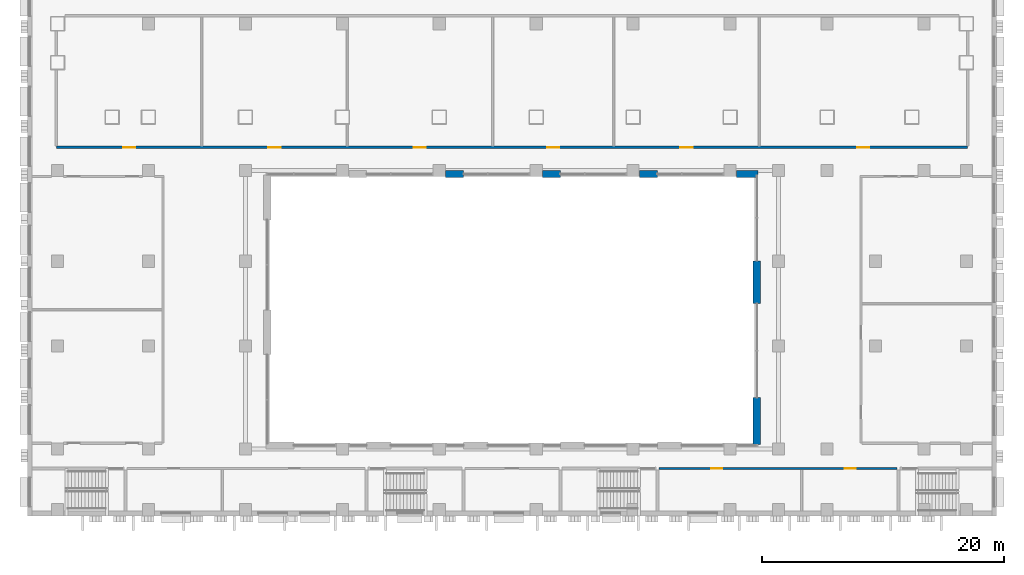
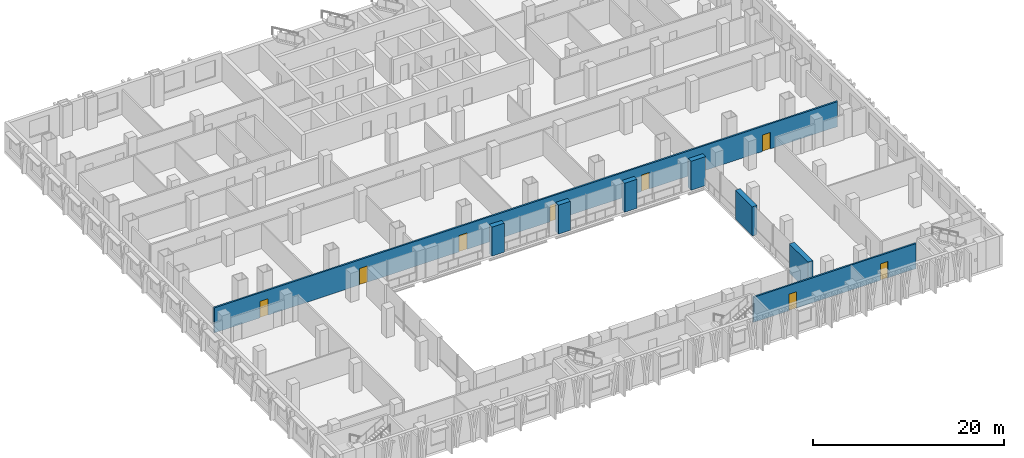
# One storey, part 9 of 24: 8 doors, 8 walls, 8 openings.
"""IFC4 building model written with IfcOpenShell, lengths in metres."""

from ifc_helpers import new_model, si_unit, direction, frame, frame_2d, origin, place, context, subcontext, project, spatial, rectangle, extrude, material, layer, layer_set, type_object, element, fill, save


model = new_model("IFC4")

# Units and contexts
model_context = context("Model", 3, precision=1e-05, world=origin(), true_north=direction((0.0, 1.0)))
body_context = subcontext(model_context, "Body", "Model", "MODEL_VIEW")
ifc_project = project(units=[si_unit("LENGTHUNIT", "METRE"), si_unit("AREAUNIT", "SQUARE_METRE"), si_unit("VOLUMEUNIT", "CUBIC_METRE"), si_unit("PLANEANGLEUNIT", "RADIAN"), si_unit("MASSUNIT", "GRAM", prefix="KILO")], contexts=[model_context])

# Site, building, storey
site_placement = place(None, origin())
site = spatial("IfcSite", under=ifc_project, at=site_placement, CompositionType="ELEMENT")
building_placement = place(site_placement, origin())
building = spatial("IfcBuilding", under=site, at=building_placement, Name="Vidyagriha Tower", CompositionType="ELEMENT")
storey_placement = place(building_placement, frame((0.0, 0.0, 22.0)))
storey = spatial("IfcBuildingStorey", under=building, at=storey_placement, Name="L05", CompositionType="ELEMENT", Elevation=22.0)

# Walls
ifc_material_1 = material(Name="Precast concrete C40/50 with brick facing", Category="concrete")
ifc_layer_1 = layer(ifc_material_1, 0.60009765625)
ifc_layer_set_1 = layer_set([ifc_layer_1], Name="Precast concrete C40/50 with brick facing")
wall_type_1 = type_object("IfcWallType", Name="Brick-faced precast wall 600", PredefinedType="STANDARD", material=ifc_layer_set_1)
for number, where, name in (
    (1, (-5.469970703125, -21.800048828125, 0.0), "Brick door bay wall L05 R09.8"),
    (2, (2.530029296875, -21.800048828125, 0.0), "Brick door bay wall L05 R09.12"),
    (3, (10.530029296875, -21.800048828125, 0.0), "Brick door bay wall L05 R09.16"),
):
    element("IfcWall", number, at=place(storey_placement, frame(where)), inside=storey, type_object=wall_type_1, Name=name, PredefinedType="STANDARD", context=body_context, shape_type="SweptSolid", body=[
        extrude(rectangle(XDim=1.469970703125, YDim=0.60009765625, at=frame_2d((0.73486328125, 0.0))), origin(), (0.0, 0.0, 1.0), 3.699951171875),
    ])
wall_1_placement = place(storey_placement, frame((18.530029296875, -21.800048828125, 0.0)))
element("IfcWall", 4, at=wall_1_placement, inside=storey, type_object=wall_type_1, Name="Brick door bay wall L05 R09.20", PredefinedType="STANDARD", context=body_context, shape_type="SweptSolid", body=[
    extrude(rectangle(XDim=1.75, YDim=0.60009765625, at=frame_2d((0.875, 0.0))), origin(), (0.0, 0.0, 1.0), 3.699951171875),
])
wall_2_placement = place(storey_placement, frame((20.199951171875, -28.9599609375, 0.0), z_axis=(0.0, 0.0, 1.0), x_axis=(0.0, -1.0, 0.0)))
element("IfcWall", 5, at=wall_2_placement, inside=storey, type_object=wall_type_1, Name="Brick door bay wall L05 R10.3", PredefinedType="STANDARD", context=body_context, shape_type="SweptSolid", body=[
    extrude(rectangle(XDim=3.5400390625, YDim=0.60009765625, at=frame_2d((1.77001953125, 0.0))), origin(), (0.0, 0.0, 1.0), 3.699951171875),
])
wall_3_placement = place(storey_placement, frame((20.199951171875, -40.24658203125, 0.0), z_axis=(0.0, 0.0, 1.0), x_axis=(0.0, -1.0, 0.0)))
element("IfcWall", 6, at=wall_3_placement, inside=storey, type_object=wall_type_1, Name="Brick door bay wall L05 R10.6", PredefinedType="STANDARD", context=body_context, shape_type="SweptSolid", body=[
    extrude(rectangle(XDim=3.87353515625, YDim=0.60009765625, at=frame_2d((1.936767578125, 0.0))), origin(), (0.0, 0.0, 1.0), 3.699951171875),
])

# Wall, openings, doors
ifc_material_2 = material(Name="Fire rated gypsum board on light gauge framing")
ifc_layer_2 = layer(ifc_material_2, 0.199951171875)
ifc_layer_set_2 = layer_set([ifc_layer_2], Name="Fire rated gypsum board on light gauge framing")
wall_type_2 = type_object("IfcWallType", Name="Fire Rated Corridor Wall 200", PredefinedType="PARTITIONING", material=ifc_layer_set_2)
wall_4_placement = place(storey_placement, frame((12.125, -46.10009765625, 0.0)))
wall_4 = element("IfcWall", 7, at=wall_4_placement, inside=storey, type_object=wall_type_2, Name="L05 Fire Rated Corridor Wall 200 002", PredefinedType="PARTITIONING", context=body_context, shape_type="SweptSolid", body=[
    extrude(rectangle(XDim=19.64990234375, YDim=0.199951171875, at=frame_2d((9.824951171875, 0.0))), origin(), (0.0, 0.0, 1.0), 3.199951171875),
])
opening_1_placement = place(wall_4_placement, frame((4.324951171875, 0.0, 0.0)))
opening_1 = element("IfcOpeningElement", 8, at=opening_1_placement, cuts=wall_4, Name="Opening D05-26", PredefinedType="OPENING", context=body_context, shape_type="SweptSolid", body=[
    extrude(rectangle(XDim=0.89990234375, YDim=2.10009765625, at=frame_2d((0.449951171875, 1.050048828125))), frame((0.0, 0.10986328125, 0.0), z_axis=(0.0, -1.0, 0.0), x_axis=(1.0, 0.0, 0.0)), (0.0, 0.0, 1.0), 0.219970703125),
])
opening_2_placement = place(wall_4_placement, frame((15.324951171875, 0.0, 0.0)))
opening_2 = element("IfcOpeningElement", 9, at=opening_2_placement, cuts=wall_4, Name="Opening D05-27", PredefinedType="OPENING", context=body_context, shape_type="SweptSolid", body=[
    extrude(rectangle(XDim=0.89990234375, YDim=2.10009765625, at=frame_2d((0.449951171875, 1.050048828125))), frame((0.0, 0.10986328125, 0.0), z_axis=(0.0, -1.0, 0.0), x_axis=(1.0, 0.0, 0.0)), (0.0, 0.0, 1.0), 0.219970703125),
])
ifc_material_3 = material(Name="Steel fire door set", Category="steel")
door_type_1 = type_object("IfcDoorType", Name="Podium Door 900x2100 EI 30", OperationType="NOTDEFINED", PredefinedType="DOOR", material=ifc_material_3)
door_1_placement = place(opening_1_placement, frame((0.89990234375, 0.0, 0.0), z_axis=(0.0, 0.0, 1.0), x_axis=(-1.0, 0.0, 0.0)))
door_1 = element("IfcDoor", 10, at=door_1_placement, inside=storey, type_object=door_type_1, Name="L05 door D05-26", OperationType="SINGLE_SWING_LEFT", OverallHeight=2.10009765625, OverallWidth=0.89990234375, PredefinedType="DOOR", context=body_context, shape_type="SweptSolid", body=[
    extrude(rectangle(XDim=0.89990234375, YDim=2.10009765625, at=frame_2d((0.449951171875, 1.050048828125))), frame((0.0, 0.02490234375, 0.0), z_axis=(0.0, -1.0, 0.0), x_axis=(1.0, 0.0, 0.0)), (0.0, 0.0, 1.0), 0.050048828125),
])
fill(opening_1, door_1)
door_2_placement = place(opening_2_placement, frame((0.89990234375, 0.0, 0.0), z_axis=(0.0, 0.0, 1.0), x_axis=(-1.0, 0.0, 0.0)))
door_2 = element("IfcDoor", 11, at=door_2_placement, inside=storey, type_object=door_type_1, Name="L05 door D05-27", OperationType="SINGLE_SWING_RIGHT", OverallHeight=2.10009765625, OverallWidth=0.89990234375, PredefinedType="DOOR", context=body_context, shape_type="SweptSolid", body=[
    extrude(rectangle(XDim=0.89990234375, YDim=2.10009765625, at=frame_2d((0.449951171875, 1.050048828125))), frame((0.0, 0.02490234375, 0.0), z_axis=(0.0, -1.0, 0.0), x_axis=(1.0, 0.0, 0.0)), (0.0, 0.0, 1.0), 0.050048828125),
])
fill(opening_2, door_2)

wall_5_placement = place(storey_placement, frame((-37.599853515625, -19.60009765625, 0.0)))
wall_5 = element("IfcWall", 12, at=wall_5_placement, inside=storey, type_object=wall_type_2, Name="L05 Fire Rated Corridor Wall 200 021", PredefinedType="PARTITIONING", context=body_context, shape_type="SweptSolid", body=[
    extrude(rectangle(XDim=75.19970703125, YDim=0.199951171875, at=frame_2d((37.599853515625, 0.0))), origin(), (0.0, 0.0, 1.0), 3.199951171875),
])
opening_3_placement = place(wall_5_placement, frame((5.5, 0.0, 0.0)))
opening_3 = element("IfcOpeningElement", 13, at=opening_3_placement, cuts=wall_5, Name="Opening D05-28", PredefinedType="OPENING", context=body_context, shape_type="SweptSolid", body=[
    extrude(rectangle(XDim=1.0, YDim=2.10009765625, at=frame_2d((0.5, 1.050048828125))), frame((0.0, 0.10986328125, 0.0), z_axis=(0.0, -1.0, 0.0), x_axis=(1.0, 0.0, 0.0)), (0.0, 0.0, 1.0), 0.219970703125),
])
opening_4_placement = place(wall_5_placement, frame((17.5, 0.0, 0.0)))
opening_4 = element("IfcOpeningElement", 14, at=opening_4_placement, cuts=wall_5, Name="Opening D05-29", PredefinedType="OPENING", context=body_context, shape_type="SweptSolid", body=[
    extrude(rectangle(XDim=1.0, YDim=2.10009765625, at=frame_2d((0.5, 1.050048828125))), frame((0.0, 0.10986328125, 0.0), z_axis=(0.0, -1.0, 0.0), x_axis=(1.0, 0.0, 0.0)), (0.0, 0.0, 1.0), 0.219970703125),
])
opening_5_placement = place(wall_5_placement, frame((29.5, 0.0, 0.0)))
opening_5 = element("IfcOpeningElement", 15, at=opening_5_placement, cuts=wall_5, Name="Opening D05-30", PredefinedType="OPENING", context=body_context, shape_type="SweptSolid", body=[
    extrude(rectangle(XDim=1.0, YDim=2.10009765625, at=frame_2d((0.5, 1.050048828125))), frame((0.0, 0.10986328125, 0.0), z_axis=(0.0, -1.0, 0.0), x_axis=(1.0, 0.0, 0.0)), (0.0, 0.0, 1.0), 0.219970703125),
])
opening_6_placement = place(wall_5_placement, frame((40.5, 0.0, 0.0)))
opening_6 = element("IfcOpeningElement", 16, at=opening_6_placement, cuts=wall_5, Name="Opening D05-31", PredefinedType="OPENING", context=body_context, shape_type="SweptSolid", body=[
    extrude(rectangle(XDim=1.0, YDim=2.10009765625, at=frame_2d((0.5, 1.050048828125))), frame((0.0, 0.10986328125, 0.0), z_axis=(0.0, -1.0, 0.0), x_axis=(1.0, 0.0, 0.0)), (0.0, 0.0, 1.0), 0.219970703125),
])
opening_7_placement = place(wall_5_placement, frame((51.5, 0.0, 0.0)))
opening_7 = element("IfcOpeningElement", 17, at=opening_7_placement, cuts=wall_5, Name="Opening D05-32", PredefinedType="OPENING", context=body_context, shape_type="SweptSolid", body=[
    extrude(rectangle(XDim=1.0, YDim=2.10009765625, at=frame_2d((0.5, 1.050048828125))), frame((0.0, 0.10986328125, 0.0), z_axis=(0.0, -1.0, 0.0), x_axis=(1.0, 0.0, 0.0)), (0.0, 0.0, 1.0), 0.219970703125),
])
opening_8_placement = place(wall_5_placement, frame((66.099853515625, 0.0, 0.0)))
opening_8 = element("IfcOpeningElement", 18, at=opening_8_placement, cuts=wall_5, Name="Opening D05-33", PredefinedType="OPENING", context=body_context, shape_type="SweptSolid", body=[
    extrude(rectangle(XDim=1.0, YDim=2.10009765625, at=frame_2d((0.5, 1.050048828125))), frame((0.0, 0.10986328125, 0.0), z_axis=(0.0, -1.0, 0.0), x_axis=(1.0, 0.0, 0.0)), (0.0, 0.0, 1.0), 0.219970703125),
])
ifc_material_4 = material(Name="Steel fire door set", Category="steel")
door_type_2 = type_object("IfcDoorType", Name="Podium Door 1000x2100 EI 30", OperationType="NOTDEFINED", PredefinedType="DOOR", material=ifc_material_4)
door_3_placement = place(opening_3_placement, origin())
door_3 = element("IfcDoor", 19, at=door_3_placement, inside=storey, type_object=door_type_2, Name="L05 door D05-28", OperationType="SINGLE_SWING_LEFT", OverallHeight=2.10009765625, OverallWidth=1.0, PredefinedType="DOOR", context=body_context, shape_type="SweptSolid", body=[
    extrude(rectangle(XDim=1.0, YDim=2.10009765625, at=frame_2d((0.5, 1.050048828125))), frame((0.0, 0.02490234375, 0.0), z_axis=(0.0, -1.0, 0.0), x_axis=(1.0, 0.0, 0.0)), (0.0, 0.0, 1.0), 0.050048828125),
])
fill(opening_3, door_3)
door_4_placement = place(opening_4_placement, origin())
door_4 = element("IfcDoor", 20, at=door_4_placement, inside=storey, type_object=door_type_2, Name="L05 door D05-29", OperationType="SINGLE_SWING_LEFT", OverallHeight=2.10009765625, OverallWidth=1.0, PredefinedType="DOOR", context=body_context, shape_type="SweptSolid", body=[
    extrude(rectangle(XDim=1.0, YDim=2.10009765625, at=frame_2d((0.5, 1.050048828125))), frame((0.0, 0.02490234375, 0.0), z_axis=(0.0, -1.0, 0.0), x_axis=(1.0, 0.0, 0.0)), (0.0, 0.0, 1.0), 0.050048828125),
])
fill(opening_4, door_4)
door_5_placement = place(opening_5_placement, origin())
door_5 = element("IfcDoor", 21, at=door_5_placement, inside=storey, type_object=door_type_2, Name="L05 door D05-30", OperationType="SINGLE_SWING_LEFT", OverallHeight=2.10009765625, OverallWidth=1.0, PredefinedType="DOOR", context=body_context, shape_type="SweptSolid", body=[
    extrude(rectangle(XDim=1.0, YDim=2.10009765625, at=frame_2d((0.5, 1.050048828125))), frame((0.0, 0.02490234375, 0.0), z_axis=(0.0, -1.0, 0.0), x_axis=(1.0, 0.0, 0.0)), (0.0, 0.0, 1.0), 0.050048828125),
])
fill(opening_5, door_5)
door_6_placement = place(opening_6_placement, origin())
door_6 = element("IfcDoor", 22, at=door_6_placement, inside=storey, type_object=door_type_2, Name="L05 door D05-31", OperationType="SINGLE_SWING_RIGHT", OverallHeight=2.10009765625, OverallWidth=1.0, PredefinedType="DOOR", context=body_context, shape_type="SweptSolid", body=[
    extrude(rectangle(XDim=1.0, YDim=2.10009765625, at=frame_2d((0.5, 1.050048828125))), frame((0.0, 0.02490234375, 0.0), z_axis=(0.0, -1.0, 0.0), x_axis=(1.0, 0.0, 0.0)), (0.0, 0.0, 1.0), 0.050048828125),
])
fill(opening_6, door_6)
door_7_placement = place(opening_7_placement, origin())
door_7 = element("IfcDoor", 23, at=door_7_placement, inside=storey, type_object=door_type_2, Name="L05 door D05-32", OperationType="SINGLE_SWING_RIGHT", OverallHeight=2.10009765625, OverallWidth=1.0, PredefinedType="DOOR", context=body_context, shape_type="SweptSolid", body=[
    extrude(rectangle(XDim=1.0, YDim=2.10009765625, at=frame_2d((0.5, 1.050048828125))), frame((0.0, 0.02490234375, 0.0), z_axis=(0.0, -1.0, 0.0), x_axis=(1.0, 0.0, 0.0)), (0.0, 0.0, 1.0), 0.050048828125),
])
fill(opening_7, door_7)
door_8_placement = place(opening_8_placement, origin())
door_8 = element("IfcDoor", 24, at=door_8_placement, inside=storey, type_object=door_type_2, Name="L05 door D05-33", OperationType="SINGLE_SWING_RIGHT", OverallHeight=2.10009765625, OverallWidth=1.0, PredefinedType="DOOR", context=body_context, shape_type="SweptSolid", body=[
    extrude(rectangle(XDim=1.0, YDim=2.10009765625, at=frame_2d((0.5, 1.050048828125))), frame((0.0, 0.02490234375, 0.0), z_axis=(0.0, -1.0, 0.0), x_axis=(1.0, 0.0, 0.0)), (0.0, 0.0, 1.0), 0.050048828125),
])
fill(opening_8, door_8)

save(model, "model.ifc")
